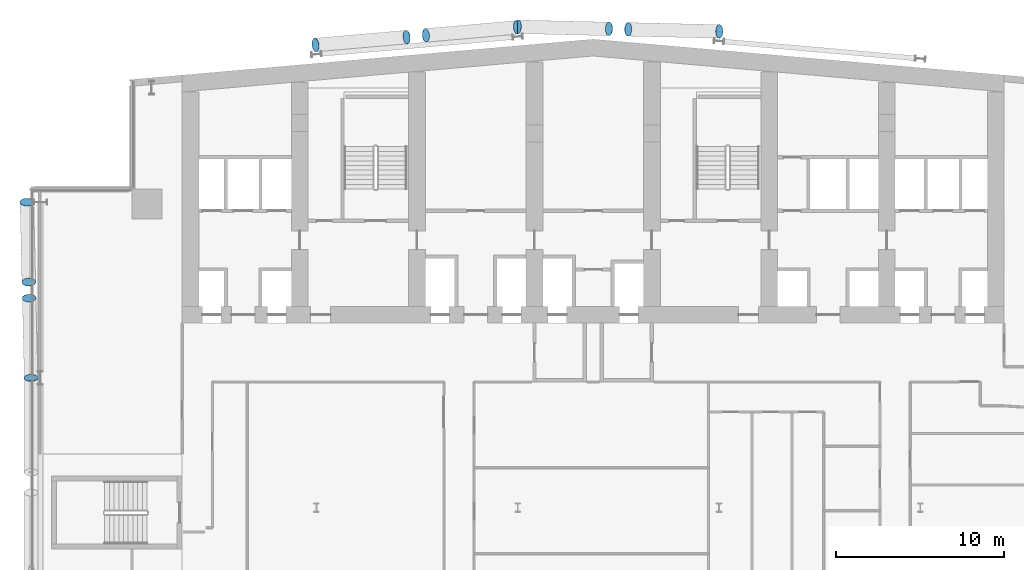
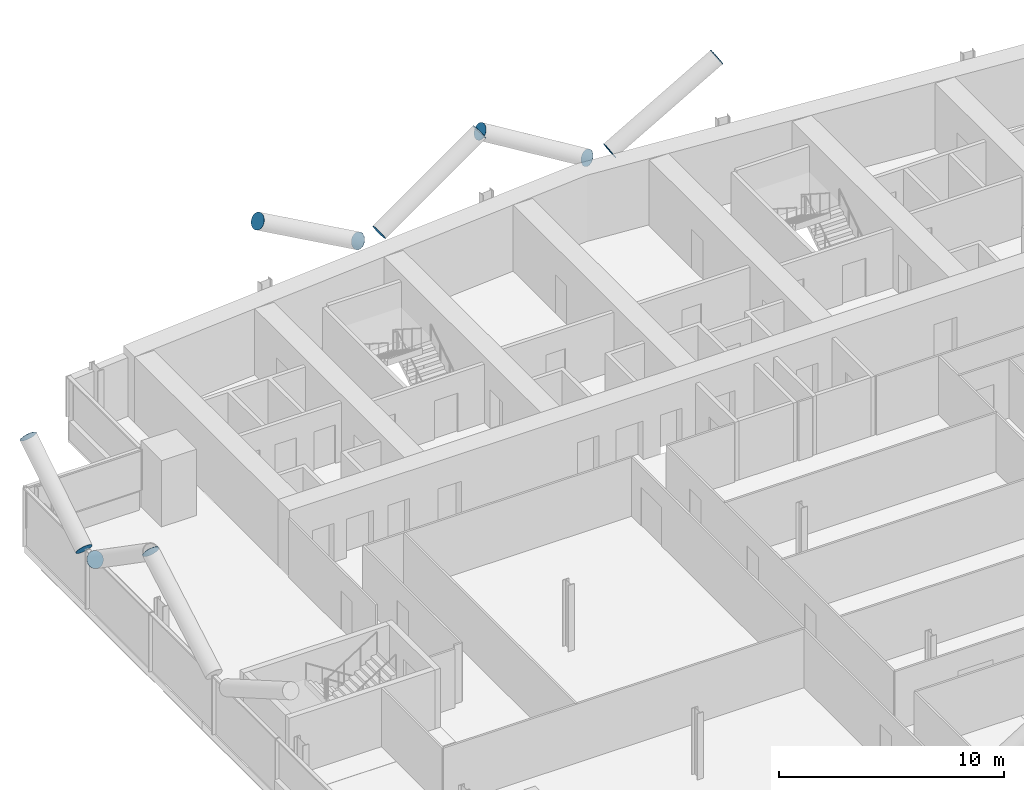
# One storey, part 22 of 27: 12 discrete accessories.
"""IFC4 building model written with IfcOpenShell, lengths in metres."""

from ifc_helpers import new_model, si_unit, direction, frame, origin, origin_2d, place, context, subcontext, project, spatial, circle, extrude, material, material_profile, profile_set, type_object, element, save


model = new_model("IFC4")

# Units and contexts
model_context = context("Model", 3, precision=1e-05, world=origin(), true_north=direction((0.0, 1.0)))
body_context = subcontext(model_context, "Body", "Model", "MODEL_VIEW")
ifc_project = project(units=[si_unit("LENGTHUNIT", "METRE"), si_unit("AREAUNIT", "SQUARE_METRE"), si_unit("VOLUMEUNIT", "CUBIC_METRE"), si_unit("PLANEANGLEUNIT", "RADIAN"), si_unit("MASSUNIT", "GRAM", prefix="KILO")], contexts=[model_context])

# Site, building, storey
site_placement = place(None, origin())
site = spatial("IfcSite", under=ifc_project, at=site_placement, CompositionType="ELEMENT")
building_placement = place(site_placement, origin())
building = spatial("IfcBuilding", under=site, at=building_placement, Name="Wharfspan Tower", CompositionType="ELEMENT")
storey_placement = place(building_placement, frame((0.0, 0.0, 111.100098)))
storey = spatial("IfcBuildingStorey", under=building, at=storey_placement, Name="L25", CompositionType="ELEMENT", Elevation=111.100098)

# Discrete accessories
ifc_material = material(Name="Steel S460NH", Category="steel")
ifc_material_profile = material_profile(ifc_material, circle(Radius=0.406494, at=origin_2d()))
ifc_profile_set = profile_set([ifc_material_profile], Name="Steel S460NH")
discrete_accessory_type = type_object("IfcDiscreteAccessoryType", Name="End plate CHS 813x40", PredefinedType="BRACKET", material=ifc_profile_set)
discrete_accessory_1_placement = place(storey_placement, frame((6.985107, 30.733398, 6.5), z_axis=(0.0, 0.868243, 0.496139), x_axis=(-1.0, 0.0, 0.0)))
element("IfcDiscreteAccessory", 1, at=discrete_accessory_1_placement, inside=storey, type_object=discrete_accessory_type, Name="End plate CHS 813x40", PredefinedType="BRACKET", context=body_context, shape_type="SweptSolid", body=[
    extrude(circle(Radius=0.406494, at=origin_2d()), origin(), (0.0, 0.0, 1.0), 0.009766),
])
discrete_accessory_2_placement = place(storey_placement, frame((6.87085, 35.494385, 3.227295), z_axis=(0.024354, -0.828038, 0.560143), x_axis=(0.999568, 0.029399, 0.0)))
element("IfcDiscreteAccessory", 2, at=discrete_accessory_2_placement, inside=storey, type_object=discrete_accessory_type, Name="End plate CHS 813x40", PredefinedType="BRACKET", context=body_context, shape_type="SweptSolid", body=[
    extrude(circle(Radius=0.406494, at=origin_2d()), origin(), (0.0, 0.0, 1.0), 0.01001),
])
discrete_accessory_3_placement = place(storey_placement, frame((6.848145, 36.447021, 3.227295), z_axis=(-0.024853, 0.820145, 0.571616), x_axis=(-0.999542, -0.03029, 1e-06)))
element("IfcDiscreteAccessory", 3, at=discrete_accessory_3_placement, inside=storey, type_object=discrete_accessory_type, Name="End plate CHS 813x40", PredefinedType="BRACKET", context=body_context, shape_type="SweptSolid", body=[
    extrude(circle(Radius=0.406494, at=origin_2d()), origin(), (0.0, 0.0, 1.0), 0.009766),
])
for number, where, z_axis, x_axis, name in (
    (4, (6.734131, 41.208008, 6.5), (-0.024354, 0.828038, 0.560143), (-0.999568, -0.029399, 0.0), "End plate CHS 813x40"),
    (5, (42.581787, 51.515137, 3.241455), (0.857236, -0.024492, 0.514341), (0.028558, 0.999591, 2e-06), "End plate CHS 813x40"),
    (6, (48.012695, 51.390381, 6.5), (0.857493, 0.0, 0.514496), (0.0, 1.0, 0.0), "End plate CHS 813x40"),
    (7, (41.443604, 51.54126, 3.241455), (-0.857236, 0.024492, 0.514341), (-0.028558, -0.999591, 2e-06), "End plate CHS 813x40"),
    (8, (36.012939, 51.665771, 6.5), (-0.857236, 0.024492, 0.514341), (-0.028558, -0.999591, 2e-06), "End plate CHS 813x40"),
    (9, (30.52124, 51.156006, 3.241699), (0.855186, 0.073302, 0.513112), (-0.085402, 0.996345, 1e-06), "End plate CHS 813x40"),
    (10, (35.95166, 51.631104, 6.5), (0.855186, 0.073302, 0.513112), (-0.085402, 0.996345, 1e-06), "End plate CHS 813x40"),
    (11, (29.381836, 51.056396, 3.241699), (-0.853405, -0.097532, 0.512043), (0.113547, -0.993531, 1e-06), "End plate CHS 813x40"),
):
    element("IfcDiscreteAccessory", number, at=place(storey_placement, frame(where, z_axis=z_axis, x_axis=x_axis)), inside=storey, type_object=discrete_accessory_type, Name=name, PredefinedType="BRACKET", context=body_context, shape_type="SweptSolid", body=[
        extrude(circle(Radius=0.406494, at=origin_2d()), origin(), (0.0, 0.0, 1.0), 0.01001),
    ])
discrete_accessory_4_placement = place(storey_placement, frame((23.95166, 50.581299, 6.5), z_axis=(-0.859828, -0.095536, 0.501566), x_axis=(0.11043, -0.99388, -1e-06)))
element("IfcDiscreteAccessory", 12, at=discrete_accessory_4_placement, inside=storey, type_object=discrete_accessory_type, Name="End plate CHS 813x40", PredefinedType="BRACKET", context=body_context, shape_type="SweptSolid", body=[
    extrude(circle(Radius=0.406494, at=origin_2d()), origin(), (0.0, 0.0, 1.0), 0.010254),
])

save(model, "model.ifc")
